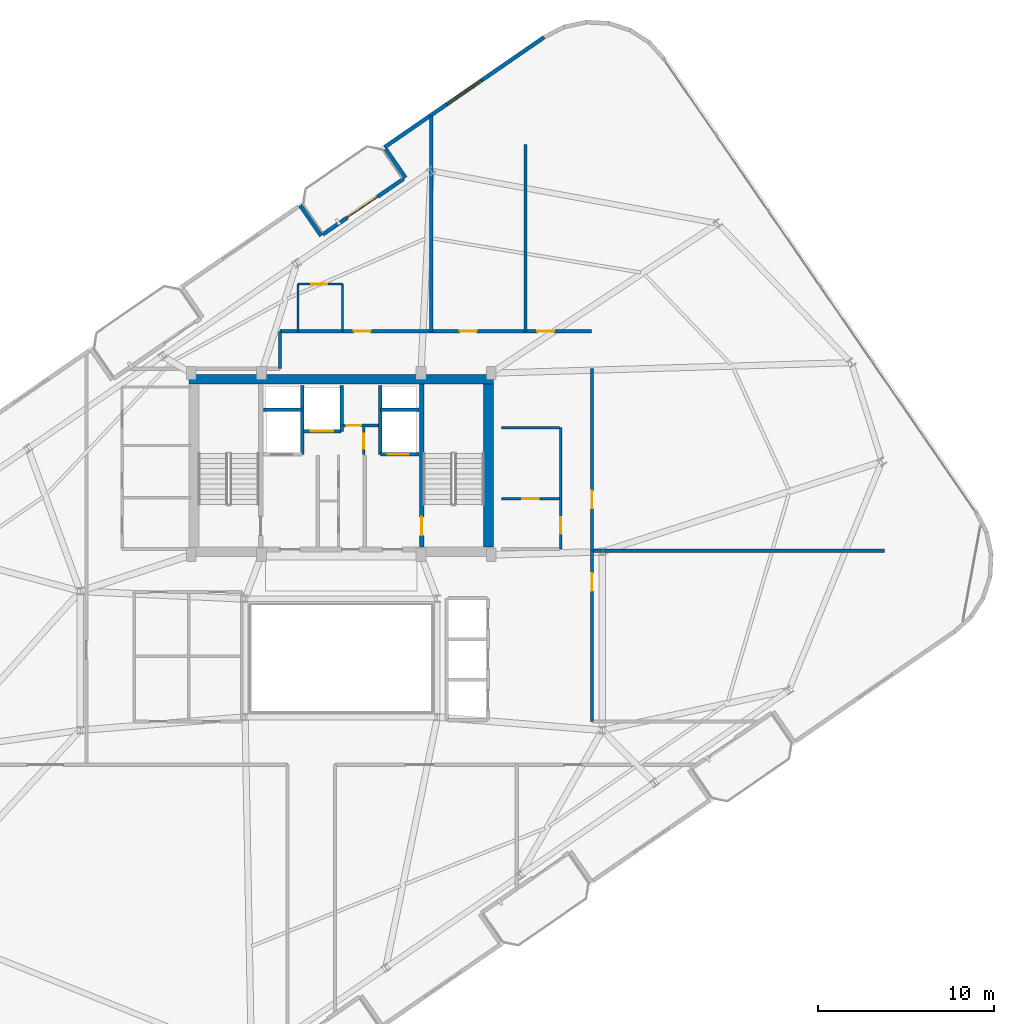
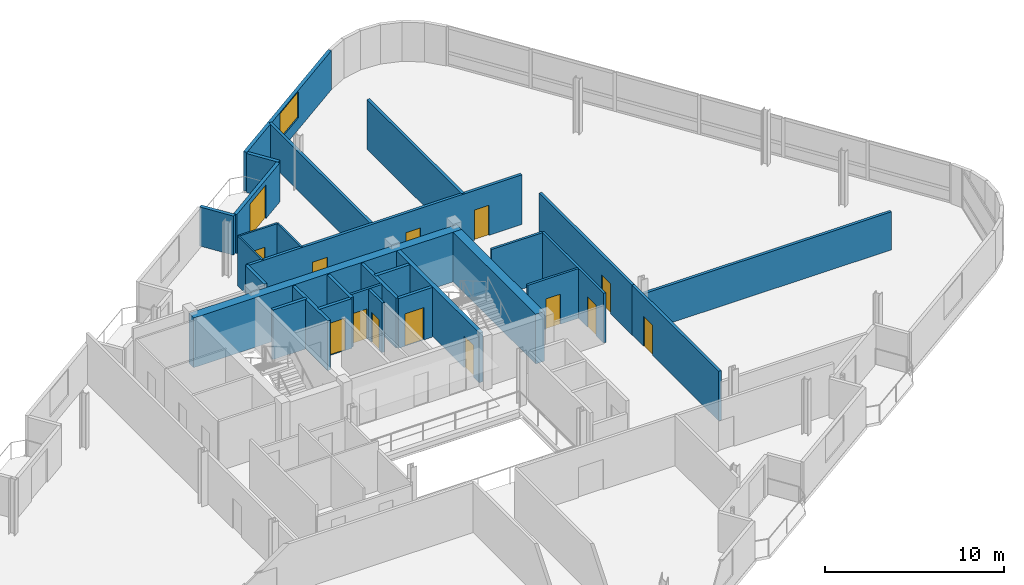
# One storey, part 19 of 23: 29 walls, 14 doors, 1 window, 15 openings.
"""IFC4 building model written with IfcOpenShell, lengths in metres."""

from ifc_helpers import new_model, si_unit, direction, frame, frame_2d, origin, place, context, subcontext, project, spatial, rectangle, extrude, material, layer, layer_set, type_object, element, fill, save


model = new_model("IFC4")

# Units and contexts
model_context = context("Model", 3, precision=1e-05, world=origin(), true_north=direction((0.0, 1.0)))
body_context = subcontext(model_context, "Body", "Model", "MODEL_VIEW")
ifc_project = project(units=[si_unit("LENGTHUNIT", "METRE"), si_unit("AREAUNIT", "SQUARE_METRE"), si_unit("VOLUMEUNIT", "CUBIC_METRE"), si_unit("PLANEANGLEUNIT", "RADIAN"), si_unit("MASSUNIT", "GRAM", prefix="KILO")], contexts=[model_context])

# Site, building, storey
site_placement = place(None, origin())
site = spatial("IfcSite", under=ifc_project, at=site_placement, CompositionType="ELEMENT")
building_placement = place(site_placement, origin())
building = spatial("IfcBuilding", under=site, at=building_placement, Name="Varnelok Gate Tower", CompositionType="ELEMENT")
storey_placement = place(building_placement, frame((0.0, 0.0, 287.800048828125)))
storey = spatial("IfcBuildingStorey", under=building, at=storey_placement, Name="L74", CompositionType="ELEMENT", Elevation=287.800048828125)

# Wall, opening, door
ifc_material_1 = material(Name="Concrete C45/55", Category="concrete")
ifc_layer_1 = layer(ifc_material_1, 0.219970703125)
ifc_layer_set_1 = layer_set([ifc_layer_1], Name="Concrete C45/55")
wall_type_1 = type_object("IfcWallType", Name="EW-BALC-220", PredefinedType="SOLIDWALL", material=ifc_layer_set_1)
wall_1_placement = place(storey_placement, frame((38.15625, 46.91162109375, 0.0), z_axis=(0.0, 0.0, 1.0), x_axis=(0.823527178548, 0.567276816195, 0.0)))
wall_1 = element("IfcWall", 1, at=wall_1_placement, inside=storey, type_object=wall_type_1, Name="L74 North Terrace Envelope Wall 6", PredefinedType="SOLIDWALL", context=body_context, shape_type="SweptSolid", body=[
    extrude(rectangle(XDim=5.56689453125, YDim=0.219970703125, at=frame_2d((2.783447265625, 0.0))), origin(), (0.0, 0.0, 1.0), 2.659912109375),
])
opening_1_placement = place(wall_1_placement, frame((1.68017578125, 0.0, 0.0)))
opening_1 = element("IfcOpeningElement", 2, at=opening_1_placement, cuts=wall_1, Name="Opening BD-2", PredefinedType="OPENING", context=body_context, shape_type="SweptSolid", body=[
    extrude(rectangle(XDim=2.10009765625, YDim=2.300048828125, at=frame_2d((1.050048828125, 1.14990234375))), frame((0.0, 0.119873046875, 0.0), z_axis=(0.0, -1.0, 0.0), x_axis=(1.0, 0.0, 0.0)), (0.0, 0.0, 1.0), 0.239990234375),
])
ifc_material_2 = material(Name="Anodized Aluminum Alloy 6063-T6", Category="aluminium")
door_type_1 = type_object("IfcDoorType", Name="DR-EXT-SLID2100", OperationType="SLIDING_TO_LEFT", PredefinedType="DOOR", material=ifc_material_2)
door_1_placement = place(opening_1_placement, origin())
door_1 = element("IfcDoor", 3, at=door_1_placement, inside=storey, type_object=door_type_1, Name="L74 North Balcony Glazed Door 6", OperationType="SLIDING_TO_LEFT", OverallHeight=2.300048828125, OverallWidth=2.10009765625, PredefinedType="DOOR", context=body_context, shape_type="SweptSolid", body=[
    extrude(rectangle(XDim=2.10009765625, YDim=2.300048828125, at=frame_2d((1.050048828125, 1.14990234375))), frame((0.0, 0.02490234375, 0.0), z_axis=(0.0, -1.0, 0.0), x_axis=(1.0, 0.0, 0.0)), (0.0, 0.0, 1.0), 0.050048828125),
])
fill(opening_1, door_1)

# Wall, opening, window
wall_2_placement = place(storey_placement, frame((50.696533203125, 58.08740234375, 0.0), z_axis=(0.0, 0.0, 1.0), x_axis=(-0.823539455464, -0.567258993137, 0.0)))
wall_2 = element("IfcWall", 4, at=wall_2_placement, inside=storey, type_object=wall_type_1, Name="L74 Perimeter Facade Closure Wall 29", PredefinedType="SOLIDWALL", context=body_context, shape_type="SweptSolid", body=[
    extrude(rectangle(XDim=10.97998046875, YDim=0.219970703125, at=frame_2d((5.489990234375, 0.0))), origin(), (0.0, 0.0, 1.0), 2.659912109375),
])
opening_2_placement = place(wall_2_placement, frame((4.2900390625, 0.0, 0.800048828125)))
opening_2 = element("IfcOpeningElement", 5, at=opening_2_placement, cuts=wall_2, Name="Opening WN6A", PredefinedType="OPENING", context=body_context, shape_type="SweptSolid", body=[
    extrude(rectangle(XDim=2.39990234375, YDim=1.780029296875, at=frame_2d((1.199951171875, 0.89013671875))), frame((0.0, 0.119873046875, 0.0), z_axis=(0.0, -1.0, 0.0), x_axis=(1.0, 0.0, 0.0)), (0.0, 0.0, 1.0), 0.239990234375),
])
ifc_material_3 = material(Name="Low-E Laminated Double Glazing IGU", Category="glass")
window_type = type_object("IfcWindowType", Name="WN-PEN-2400X1780", PartitioningType="SINGLE_PANEL", PredefinedType="WINDOW", material=ifc_material_3)
window_placement = place(opening_2_placement, origin())
window = element("IfcWindow", 6, at=window_placement, inside=storey, type_object=window_type, Name="L74 Perimeter Vision Window 29", OverallHeight=1.780029296875, OverallWidth=2.39990234375, PartitioningType="SINGLE_PANEL", PredefinedType="WINDOW", context=body_context, shape_type="SweptSolid", body=[
    extrude(rectangle(XDim=2.39990234375, YDim=1.780029296875, at=frame_2d((1.199951171875, 0.89013671875))), frame((0.0, 0.030029296875, 0.0), z_axis=(0.0, -1.0, 0.0), x_axis=(1.0, 0.0, 0.0)), (0.0, 0.0, 1.0), 0.06005859375),
])
fill(opening_2, window)

# Walls
wall_3_placement = place(storey_placement, frame((41.724853515625, 51.755859375, 0.0), z_axis=(0.0, 0.0, 1.0), x_axis=(0.567273565974, -0.823529417415, 0.0)))
element("IfcWall", 7, at=wall_3_placement, inside=storey, type_object=wall_type_1, Name="L74 Perimeter Facade Closure Wall 30", PredefinedType="SOLIDWALL", context=body_context, shape_type="SweptSolid", body=[
    extrude(rectangle(XDim=1.97509765625, YDim=0.219970703125, at=frame_2d((0.987548828125, 0.0))), origin(), (0.0, 0.0, 1.0), 2.659912109375),
])
wall_4_placement = place(storey_placement, frame((38.06298828125, 46.835205078125, 0.0), z_axis=(0.0, 0.0, 1.0), x_axis=(-0.567219383419, 0.823566737474, 0.0)))
element("IfcWall", 8, at=wall_4_placement, inside=storey, type_object=wall_type_1, Name="L74 Perimeter Facade Closure Wall 31", PredefinedType="SOLIDWALL", context=body_context, shape_type="SweptSolid", body=[
    extrude(rectangle(XDim=2.10009765625, YDim=0.219970703125, at=frame_2d((1.050048828125, 0.0))), origin(), (0.0, 0.0, 1.0), 2.659912109375),
])

# Wall, opening, door
ifc_material_4 = material(Name="Gypsum Plasterboard Acoustic Partition", Category="gypsum")
ifc_layer_2 = layer(ifc_material_4, 0.179931640625)
ifc_layer_set_2 = layer_set([ifc_layer_2], Name="Gypsum Plasterboard Acoustic Partition")
wall_type_2 = type_object("IfcWallType", Name="PW-CORR-180", PredefinedType="PARTITIONING", material=ifc_layer_set_2)
wall_5_placement = place(storey_placement, frame((53.419921875, 19.300048828125, 0.0), z_axis=(0.0, 0.0, 1.0), x_axis=(0.0, 1.0, 0.0)))
wall_5 = element("IfcWall", 9, at=wall_5_placement, inside=storey, type_object=wall_type_2, Name="Interior Partition", PredefinedType="PARTITIONING", context=body_context, shape_type="SweptSolid", body=[
    extrude(rectangle(XDim=9.679931640625, YDim=0.179931640625, at=frame_2d((4.83984375, 0.0))), origin(), (0.0, 0.0, 1.0), 3.3798828125),
])
opening_3_placement = place(wall_5_placement, frame((7.39990234375, 0.0, 0.0)))
opening_3 = element("IfcOpeningElement", 10, at=opening_3_placement, cuts=wall_5, Name="Opening D-I1", PredefinedType="OPENING", context=body_context, shape_type="SweptSolid", body=[
    extrude(rectangle(XDim=1.0, YDim=2.050048828125, at=frame_2d((0.5, 1.02490234375))), frame((0.0, 0.099853515625, 0.0), z_axis=(0.0, -1.0, 0.0), x_axis=(1.0, 0.0, 0.0)), (0.0, 0.0, 1.0), 0.199951171875),
])
ifc_material_5 = material(Name="Engineered Hardwood Timber", Category="wood")
door_type_2 = type_object("IfcDoorType", Name="DR-INT-1000", OperationType="NOTDEFINED", PredefinedType="DOOR", material=ifc_material_5)
door_2_placement = place(opening_3_placement, origin())
door_2 = element("IfcDoor", 11, at=door_2_placement, inside=storey, type_object=door_type_2, Name="L74 Crown Library Door", OperationType="SINGLE_SWING_RIGHT", OverallHeight=2.050048828125, OverallWidth=1.0, PredefinedType="DOOR", context=body_context, shape_type="SweptSolid", body=[
    extrude(rectangle(XDim=1.0, YDim=2.050048828125, at=frame_2d((0.5, 1.02490234375))), frame((0.0, 0.02490234375, 0.0), z_axis=(0.0, -1.0, 0.0), x_axis=(1.0, 0.0, 0.0)), (0.0, 0.0, 1.0), 0.050048828125),
])
fill(opening_3, door_2)

# Wall
wall_6_placement = place(storey_placement, frame((53.419921875, 28.97998046875, 0.0), z_axis=(0.0, 0.0, 1.0), x_axis=(1.0, 0.0, 0.0)))
element("IfcWall", 12, at=wall_6_placement, inside=storey, type_object=wall_type_2, Name="Interior Partition", PredefinedType="PARTITIONING", context=body_context, shape_type="SweptSolid", body=[
    extrude(rectangle(XDim=16.580078125, YDim=0.179931640625, at=frame_2d((8.2900390625, 0.0))), origin(), (0.0, 0.0, 1.0), 2.592041015625),
])

# Wall, opening, door
wall_7_placement = place(storey_placement, frame((53.419921875, 28.97998046875, 0.0), z_axis=(0.0, 0.0, 1.0), x_axis=(0.0, 1.0, 0.0)))
wall_7 = element("IfcWall", 13, at=wall_7_placement, inside=storey, type_object=wall_type_2, Name="Interior Partition", PredefinedType="PARTITIONING", context=body_context, shape_type="SweptSolid", body=[
    extrude(rectangle(XDim=10.340087890625, YDim=0.179931640625, at=frame_2d((5.169921875, 0.0))), origin(), (0.0, 0.0, 1.0), 3.3798828125),
])
opening_4_placement = place(wall_7_placement, frame((2.39990234375, 0.0, 0.0)))
opening_4 = element("IfcOpeningElement", 14, at=opening_4_placement, cuts=wall_7, Name="Opening D-I1", PredefinedType="OPENING", context=body_context, shape_type="SweptSolid", body=[
    extrude(rectangle(XDim=1.0, YDim=2.050048828125, at=frame_2d((0.5, 1.02490234375))), frame((0.0, 0.099853515625, 0.0), z_axis=(0.0, -1.0, 0.0), x_axis=(1.0, 0.0, 0.0)), (0.0, 0.0, 1.0), 0.199951171875),
])
door_3_placement = place(opening_4_placement, origin())
door_3 = element("IfcDoor", 15, at=door_3_placement, inside=storey, type_object=door_type_2, Name="L74 Horizon Club Door", OperationType="SINGLE_SWING_LEFT", OverallHeight=2.050048828125, OverallWidth=1.0, PredefinedType="DOOR", context=body_context, shape_type="SweptSolid", body=[
    extrude(rectangle(XDim=1.0, YDim=2.050048828125, at=frame_2d((0.5, 1.02490234375))), frame((0.0, 0.02490234375, 0.0), z_axis=(0.0, -1.0, 0.0), x_axis=(1.0, 0.0, 0.0)), (0.0, 0.0, 1.0), 0.050048828125),
])
fill(opening_4, door_3)

# Wall
wall_8_placement = place(storey_placement, frame((35.719970703125, 39.300048828125, 0.0), z_axis=(0.0, 0.0, 1.0), x_axis=(0.0, 1.0, 0.0)))
element("IfcWall", 16, at=wall_8_placement, inside=storey, type_object=wall_type_2, Name="Interior Partition", PredefinedType="PARTITIONING", context=body_context, shape_type="SweptSolid", body=[
    extrude(rectangle(XDim=2.119873046875, YDim=0.179931640625, at=frame_2d((1.06005859375, 0.0))), origin(), (0.0, 0.0, 1.0), 3.3798828125),
])

# Wall, openings, doors
wall_9_placement = place(storey_placement, frame((35.719970703125, 41.419921875, 0.0), z_axis=(0.0, 0.0, 1.0), x_axis=(1.0, 0.0, 0.0)))
wall_9 = element("IfcWall", 17, at=wall_9_placement, inside=storey, type_object=wall_type_2, Name="Interior Partition", PredefinedType="PARTITIONING", context=body_context, shape_type="SweptSolid", body=[
    extrude(rectangle(XDim=17.679931640625, YDim=0.179931640625, at=frame_2d((8.83984375, 0.0))), origin(), (0.0, 0.0, 1.0), 3.3798828125),
])
opening_5_placement = place(wall_9_placement, frame((4.199951171875, 0.0, 0.0)))
opening_5 = element("IfcOpeningElement", 18, at=opening_5_placement, cuts=wall_9, Name="Opening D-HT", PredefinedType="OPENING", context=body_context, shape_type="SweptSolid", body=[
    extrude(rectangle(XDim=0.949951171875, YDim=2.14990234375, at=frame_2d((0.47509765625, 1.074951171875))), frame((0.0, 0.099853515625, 0.0), z_axis=(0.0, -1.0, 0.0), x_axis=(1.0, 0.0, 0.0)), (0.0, 0.0, 1.0), 0.199951171875),
])
opening_6_placement = place(wall_9_placement, frame((10.199951171875, 0.0, 0.0)))
opening_6 = element("IfcOpeningElement", 19, at=opening_6_placement, cuts=wall_9, Name="Opening D-I2", PredefinedType="OPENING", context=body_context, shape_type="SweptSolid", body=[
    extrude(rectangle(XDim=0.949951171875, YDim=2.050048828125, at=frame_2d((0.47509765625, 1.02490234375))), frame((0.0, 0.099853515625, 0.0), z_axis=(0.0, -1.0, 0.0), x_axis=(1.0, 0.0, 0.0)), (0.0, 0.0, 1.0), 0.199951171875),
])
opening_7_placement = place(wall_9_placement, frame((14.60009765625, 0.0, 0.0)))
opening_7 = element("IfcOpeningElement", 20, at=opening_7_placement, cuts=wall_9, Name="Opening D-I2", PredefinedType="OPENING", context=body_context, shape_type="SweptSolid", body=[
    extrude(rectangle(XDim=0.949951171875, YDim=2.050048828125, at=frame_2d((0.47509765625, 1.02490234375))), frame((0.0, 0.099853515625, 0.0), z_axis=(0.0, -1.0, 0.0), x_axis=(1.0, 0.0, 0.0)), (0.0, 0.0, 1.0), 0.199951171875),
])
door_type_3 = type_object("IfcDoorType", Name="DR-HTL-950", OperationType="NOTDEFINED", PredefinedType="DOOR", material=ifc_material_5)
door_4_placement = place(opening_5_placement, origin())
door_4 = element("IfcDoor", 21, at=door_4_placement, inside=storey, type_object=door_type_3, Name="L74 Suite 1 Entrance Door", OperationType="SINGLE_SWING_LEFT", OverallHeight=2.14990234375, OverallWidth=0.949951171875, PredefinedType="DOOR", context=body_context, shape_type="SweptSolid", body=[
    extrude(rectangle(XDim=0.949951171875, YDim=2.14990234375, at=frame_2d((0.47509765625, 1.074951171875))), frame((0.0, 0.02490234375, 0.0), z_axis=(0.0, -1.0, 0.0), x_axis=(1.0, 0.0, 0.0)), (0.0, 0.0, 1.0), 0.050048828125),
])
fill(opening_5, door_4)
door_type_4 = type_object("IfcDoorType", Name="DR-INT-950", OperationType="NOTDEFINED", PredefinedType="DOOR", material=ifc_material_5)
door_5_placement = place(opening_6_placement, origin())
door_5 = element("IfcDoor", 22, at=door_5_placement, inside=storey, type_object=door_type_4, Name="L74 Fitness Studio Door", OperationType="SINGLE_SWING_RIGHT", OverallHeight=2.050048828125, OverallWidth=0.949951171875, PredefinedType="DOOR", context=body_context, shape_type="SweptSolid", body=[
    extrude(rectangle(XDim=0.949951171875, YDim=2.050048828125, at=frame_2d((0.47509765625, 1.02490234375))), frame((0.0, 0.02490234375, 0.0), z_axis=(0.0, -1.0, 0.0), x_axis=(1.0, 0.0, 0.0)), (0.0, 0.0, 1.0), 0.050048828125),
])
fill(opening_6, door_5)
door_6_placement = place(opening_7_placement, origin())
door_6 = element("IfcDoor", 23, at=door_6_placement, inside=storey, type_object=door_type_4, Name="L74 Treatment Suite Door", OperationType="SINGLE_SWING_LEFT", OverallHeight=2.050048828125, OverallWidth=0.949951171875, PredefinedType="DOOR", context=body_context, shape_type="SweptSolid", body=[
    extrude(rectangle(XDim=0.949951171875, YDim=2.050048828125, at=frame_2d((0.47509765625, 1.02490234375))), frame((0.0, 0.02490234375, 0.0), z_axis=(0.0, -1.0, 0.0), x_axis=(1.0, 0.0, 0.0)), (0.0, 0.0, 1.0), 0.050048828125),
])
fill(opening_7, door_6)

# Walls
wall_10_placement = place(storey_placement, frame((44.300048828125, 41.419921875, 0.0), z_axis=(0.0, 0.0, 1.0), x_axis=(0.0, 1.0, 0.0)))
element("IfcWall", 24, at=wall_10_placement, inside=storey, type_object=wall_type_2, Name="Interior Partition", PredefinedType="PARTITIONING", context=body_context, shape_type="SweptSolid", body=[
    extrude(rectangle(XDim=12.221435546875, YDim=0.179931640625, at=frame_2d((6.11083984375, 0.0))), origin(), (0.0, 0.0, 1.0), 2.6689453125),
])
wall_11_placement = place(storey_placement, frame((49.64990234375, 41.419921875, 0.0), z_axis=(0.0, 0.0, 1.0), x_axis=(0.0, 1.0, 0.0)))
element("IfcWall", 25, at=wall_11_placement, inside=storey, type_object=wall_type_2, Name="Interior Partition", PredefinedType="PARTITIONING", context=body_context, shape_type="SweptSolid", body=[
    extrude(rectangle(XDim=10.580078125, YDim=0.179931640625, at=frame_2d((5.2900390625, 0.0))), origin(), (0.0, 0.0, 1.0), 3.3798828125),
])
ifc_layer_3 = layer(ifc_material_4, 0.114990234375)
ifc_layer_set_3 = layer_set([ifc_layer_3], Name="Gypsum Plasterboard Acoustic Partition")
wall_type_3 = type_object("IfcWallType", Name="PW-ENS-125", PredefinedType="PARTITIONING", material=ifc_layer_set_3)
for number, where, z_axis, x_axis, name in (
    (26, (36.739990234375, 41.419921875, 0.0), (0.0, 0.0, 1.0), (0.0, 1.0, 0.0), "Interior Partition"),
    (27, (39.260009765625, 41.419921875, 0.0), (0.0, 0.0, 1.0), (0.0, 1.0, 0.0), "Interior Partition"),
):
    element("IfcWall", number, at=place(storey_placement, frame(where, z_axis=z_axis, x_axis=x_axis)), inside=storey, type_object=wall_type_3, Name=name, PredefinedType="PARTITIONING", context=body_context, shape_type="SweptSolid", body=[
        extrude(rectangle(XDim=2.68017578125, YDim=0.114990234375, at=frame_2d((1.340087890625, 0.0))), origin(), (0.0, 0.0, 1.0), 3.3798828125),
    ])

# Wall, opening, door
wall_12_placement = place(storey_placement, frame((36.739990234375, 44.10009765625, 0.0), z_axis=(0.0, 0.0, 1.0), x_axis=(1.0, 0.0, 0.0)))
wall_12 = element("IfcWall", 28, at=wall_12_placement, inside=storey, type_object=wall_type_3, Name="Interior Partition", PredefinedType="PARTITIONING", context=body_context, shape_type="SweptSolid", body=[
    extrude(rectangle(XDim=2.52001953125, YDim=0.114990234375, at=frame_2d((1.260009765625, 0.0))), origin(), (0.0, 0.0, 1.0), 3.3798828125),
])
opening_8_placement = place(wall_12_placement, frame((0.760009765625, 0.0, 0.0)))
opening_8 = element("IfcOpeningElement", 29, at=opening_8_placement, cuts=wall_12, Name="Opening D-WC", PredefinedType="OPENING", context=body_context, shape_type="SweptSolid", body=[
    extrude(rectangle(XDim=0.89990234375, YDim=2.050048828125, at=frame_2d((0.449951171875, 1.02490234375))), frame((0.0, 0.0673828125, 0.0), z_axis=(0.0, -1.0, 0.0), x_axis=(1.0, 0.0, 0.0)), (0.0, 0.0, 1.0), 0.135009765625),
])
door_type_5 = type_object("IfcDoorType", Name="DR-BATH-900", OperationType="NOTDEFINED", PredefinedType="DOOR", material=ifc_material_5)
door_7_placement = place(opening_8_placement, origin())
door_7 = element("IfcDoor", 30, at=door_7_placement, inside=storey, type_object=door_type_5, Name="L74 Suite 1 En-Suite Door", OperationType="SINGLE_SWING_LEFT", OverallHeight=2.050048828125, OverallWidth=0.89990234375, PredefinedType="DOOR", context=body_context, shape_type="SweptSolid", body=[
    extrude(rectangle(XDim=0.89990234375, YDim=2.050048828125, at=frame_2d((0.449951171875, 1.02490234375))), frame((0.0, 0.02490234375, 0.0), z_axis=(0.0, -1.0, 0.0), x_axis=(1.0, 0.0, 0.0)), (0.0, 0.0, 1.0), 0.050048828125),
])
fill(opening_8, door_7)

ifc_layer_4 = layer(ifc_material_4, 0.14990234375)
ifc_layer_set_4 = layer_set([ifc_layer_4], Name="Gypsum Plasterboard Acoustic Partition")
wall_type_4 = type_object("IfcWallType", Name="PW-PART-150", PredefinedType="PARTITIONING", material=ifc_layer_set_4)
wall_13_placement = place(storey_placement, frame((39.300048828125, 36.080078125, 0.0), z_axis=(0.0, 0.0, 1.0), x_axis=(1.0, 0.0, 0.0)))
wall_13 = element("IfcWall", 31, at=wall_13_placement, inside=storey, type_object=wall_type_4, Name="L74 Electrical Closet South Wall", PredefinedType="PARTITIONING", context=body_context, shape_type="SweptSolid", body=[
    extrude(rectangle(XDim=2.02001953125, YDim=0.14990234375, at=frame_2d((1.010009765625, 0.0))), origin(), (0.0, 0.0, 1.0), 3.3798828125),
])
opening_9_placement = place(wall_13_placement, frame((0.179931640625, 0.0, 0.0)))
opening_9 = element("IfcOpeningElement", 32, at=opening_9_placement, cuts=wall_13, Name="Opening D-RS", PredefinedType="OPENING", context=body_context, shape_type="SweptSolid", body=[
    extrude(rectangle(XDim=0.85009765625, YDim=2.050048828125, at=frame_2d((0.425048828125, 1.02490234375))), frame((0.0, 0.0849609375, 0.0), z_axis=(0.0, -1.0, 0.0), x_axis=(1.0, 0.0, 0.0)), (0.0, 0.0, 1.0), 0.169921875),
])
ifc_material_6 = material(Name="Galvanized Steel Grade S350GD", Category="steel")
door_type_6 = type_object("IfcDoorType", Name="DR-RISER-850", OperationType="NOTDEFINED", PredefinedType="DOOR", material=ifc_material_6)
door_8_placement = place(opening_9_placement, origin())
door_8 = element("IfcDoor", 33, at=door_8_placement, inside=storey, type_object=door_type_6, Name="L74 Electrical Closet Door", OperationType="SINGLE_SWING_RIGHT", OverallHeight=2.050048828125, OverallWidth=0.85009765625, PredefinedType="DOOR", context=body_context, shape_type="SweptSolid", body=[
    extrude(rectangle(XDim=0.85009765625, YDim=2.050048828125, at=frame_2d((0.425048828125, 1.02490234375))), frame((0.0, 0.02490234375, 0.0), z_axis=(0.0, -1.0, 0.0), x_axis=(1.0, 0.0, 0.0)), (0.0, 0.0, 1.0), 0.050048828125),
])
fill(opening_9, door_8)

wall_14_placement = place(storey_placement, frame((40.47998046875, 34.43994140625, 0.0), z_axis=(0.0, 0.0, 1.0), x_axis=(0.0, 1.0, 0.0)))
wall_14 = element("IfcWall", 34, at=wall_14_placement, inside=storey, type_object=wall_type_4, Name="L74 Telecoms Closet West Wall", PredefinedType="PARTITIONING", context=body_context, shape_type="SweptSolid", body=[
    extrude(rectangle(XDim=1.52001953125, YDim=0.14990234375, at=frame_2d((0.760009765625, 0.0))), origin(), (0.0, 0.0, 1.0), 3.3798828125),
])
opening_10_placement = place(wall_14_placement, frame((0.320068359375, 0.0, 0.0)))
opening_10 = element("IfcOpeningElement", 35, at=opening_10_placement, cuts=wall_14, Name="Opening D-RS", PredefinedType="OPENING", context=body_context, shape_type="SweptSolid", body=[
    extrude(rectangle(XDim=0.85009765625, YDim=2.050048828125, at=frame_2d((0.425048828125, 1.02490234375))), frame((0.0, 0.0849609375, 0.0), z_axis=(0.0, -1.0, 0.0), x_axis=(1.0, 0.0, 0.0)), (0.0, 0.0, 1.0), 0.169921875),
])
door_9_placement = place(opening_10_placement, origin())
door_9 = element("IfcDoor", 36, at=door_9_placement, inside=storey, type_object=door_type_6, Name="L74 Telecoms Closet Door", OperationType="SINGLE_SWING_LEFT", OverallHeight=2.050048828125, OverallWidth=0.85009765625, PredefinedType="DOOR", context=body_context, shape_type="SweptSolid", body=[
    extrude(rectangle(XDim=0.85009765625, YDim=2.050048828125, at=frame_2d((0.425048828125, 1.02490234375))), frame((0.0, 0.02490234375, 0.0), z_axis=(0.0, -1.0, 0.0), x_axis=(1.0, 0.0, 0.0)), (0.0, 0.0, 1.0), 0.050048828125),
])
fill(opening_10, door_9)

wall_15_placement = place(storey_placement, frame((48.300048828125, 31.929931640625, 0.0), z_axis=(0.0, 0.0, 1.0), x_axis=(1.0, 0.0, 0.0)))
wall_15 = element("IfcWall", 37, at=wall_15_placement, inside=storey, type_object=wall_type_4, Name="Interior Partition", PredefinedType="PARTITIONING", context=body_context, shape_type="SweptSolid", body=[
    extrude(rectangle(XDim=3.280029296875, YDim=0.14990234375, at=frame_2d((1.64013671875, 0.0))), origin(), (0.0, 0.0, 1.0), 3.3798828125),
])
opening_11_placement = place(wall_15_placement, frame((1.14990234375, 0.0, 0.0)))
opening_11 = element("IfcOpeningElement", 38, at=opening_11_placement, cuts=wall_15, Name="Opening D-I2", PredefinedType="OPENING", context=body_context, shape_type="SweptSolid", body=[
    extrude(rectangle(XDim=0.949951171875, YDim=2.050048828125, at=frame_2d((0.47509765625, 1.02490234375))), frame((0.0, 0.0849609375, 0.0), z_axis=(0.0, -1.0, 0.0), x_axis=(1.0, 0.0, 0.0)), (0.0, 0.0, 1.0), 0.169921875),
])
door_10_placement = place(opening_11_placement, origin())
door_10 = element("IfcDoor", 39, at=door_10_placement, inside=storey, type_object=door_type_4, Name="L74 Reclaimed Trunk Storage Door", OperationType="SINGLE_SWING_LEFT", OverallHeight=2.050048828125, OverallWidth=0.949951171875, PredefinedType="DOOR", context=body_context, shape_type="SweptSolid", body=[
    extrude(rectangle(XDim=0.949951171875, YDim=2.050048828125, at=frame_2d((0.47509765625, 1.02490234375))), frame((0.0, 0.02490234375, 0.0), z_axis=(0.0, -1.0, 0.0), x_axis=(1.0, 0.0, 0.0)), (0.0, 0.0, 1.0), 0.050048828125),
])
fill(opening_11, door_10)

# Wall
wall_16_placement = place(storey_placement, frame((48.300048828125, 35.9599609375, 0.0), z_axis=(0.0, 0.0, 1.0), x_axis=(1.0, 0.0, 0.0)))
element("IfcWall", 40, at=wall_16_placement, inside=storey, type_object=wall_type_4, Name="Interior Partition", PredefinedType="PARTITIONING", context=body_context, shape_type="SweptSolid", body=[
    extrude(rectangle(XDim=3.280029296875, YDim=0.14990234375, at=frame_2d((1.64013671875, 0.0))), origin(), (0.0, 0.0, 1.0), 3.3798828125),
])

# Wall, opening, door
wall_17_placement = place(storey_placement, frame((51.639892578125, 29.080078125, 0.0), z_axis=(0.0, 0.0, 1.0), x_axis=(0.0, 1.0, 0.0)))
wall_17 = element("IfcWall", 41, at=wall_17_placement, inside=storey, type_object=wall_type_4, Name="Interior Partition", PredefinedType="PARTITIONING", context=body_context, shape_type="SweptSolid", body=[
    extrude(rectangle(XDim=6.8798828125, YDim=0.14990234375, at=frame_2d((3.43994140625, 0.0))), origin(), (0.0, 0.0, 1.0), 3.3798828125),
])
opening_12_placement = place(wall_17_placement, frame((0.85009765625, 0.0, 0.0)))
opening_12 = element("IfcOpeningElement", 42, at=opening_12_placement, cuts=wall_17, Name="Opening D-I2", PredefinedType="OPENING", context=body_context, shape_type="SweptSolid", body=[
    extrude(rectangle(XDim=0.949951171875, YDim=2.050048828125, at=frame_2d((0.47509765625, 1.02490234375))), frame((0.0, 0.0849609375, 0.0), z_axis=(0.0, -1.0, 0.0), x_axis=(1.0, 0.0, 0.0)), (0.0, 0.0, 1.0), 0.169921875),
])
door_11_placement = place(opening_12_placement, origin())
door_11 = element("IfcDoor", 43, at=door_11_placement, inside=storey, type_object=door_type_4, Name="L74 Reclaimed Wine Storage Door", OperationType="SINGLE_SWING_RIGHT", OverallHeight=2.050048828125, OverallWidth=0.949951171875, PredefinedType="DOOR", context=body_context, shape_type="SweptSolid", body=[
    extrude(rectangle(XDim=0.949951171875, YDim=2.050048828125, at=frame_2d((0.47509765625, 1.02490234375))), frame((0.0, 0.02490234375, 0.0), z_axis=(0.0, -1.0, 0.0), x_axis=(1.0, 0.0, 0.0)), (0.0, 0.0, 1.0), 0.050048828125),
])
fill(opening_12, door_11)

# Walls
ifc_material_7 = material(Name="Concrete C35/45", Category="concrete")
ifc_layer_5 = layer(ifc_material_7, 0.199951171875)
ifc_layer_set_5 = layer_set([ifc_layer_5], Name="Concrete C35/45")
wall_type_5 = type_object("IfcWallType", Name="PW-SHAFT-200", PredefinedType="PARTITIONING", material=ifc_layer_set_5)
wall_18_placement = place(storey_placement, frame((34.800048828125, 36.97998046875, 0.0), z_axis=(0.0, 0.0, 1.0), x_axis=(1.0, 0.0, 0.0)))
element("IfcWall", 44, at=wall_18_placement, inside=storey, type_object=wall_type_5, Name="L74 FF1 Shaft North Wall", PredefinedType="PARTITIONING", context=body_context, shape_type="SweptSolid", body=[
    extrude(rectangle(XDim=2.179931640625, YDim=0.199951171875, at=frame_2d((1.08984375, 0.0))), origin(), (0.0, 0.0, 1.0), 3.3798828125),
])
wall_19_placement = place(storey_placement, frame((37.0, 34.43994140625, 0.0), z_axis=(0.0, 0.0, 1.0), x_axis=(0.0, 1.0, 0.0)))
element("IfcWall", 45, at=wall_19_placement, inside=storey, type_object=wall_type_5, Name="L74 FF1 Shaft Side Wall", PredefinedType="PARTITIONING", context=body_context, shape_type="SweptSolid", body=[
    extrude(rectangle(XDim=3.900146484375, YDim=0.199951171875, at=frame_2d((1.9501953125, 0.0))), origin(), (0.0, 0.0, 1.0), 3.3798828125),
])

# Wall, opening, door
wall_20_placement = place(storey_placement, frame((41.419921875, 34.43994140625, 0.0), z_axis=(0.0, 0.0, 1.0), x_axis=(1.0, 0.0, 0.0)))
wall_20 = element("IfcWall", 46, at=wall_20_placement, inside=storey, type_object=wall_type_5, Name="L74 FF2 Shaft Front Wall", PredefinedType="PARTITIONING", context=body_context, shape_type="SweptSolid", body=[
    extrude(rectangle(XDim=2.18017578125, YDim=0.199951171875, at=frame_2d((1.090087890625, 0.0))), origin(), (0.0, 0.0, 1.0), 3.3798828125),
])
opening_13_placement = place(wall_20_placement, frame((0.419921875, 0.0, 0.0)))
opening_13 = element("IfcOpeningElement", 47, at=opening_13_placement, cuts=wall_20, Name="Opening LD-FF2", PredefinedType="OPENING", context=body_context, shape_type="SweptSolid", body=[
    extrude(rectangle(XDim=1.199951171875, YDim=2.199951171875, at=frame_2d((0.60009765625, 1.10009765625))), frame((0.0, 0.10986328125, 0.0), z_axis=(0.0, -1.0, 0.0), x_axis=(1.0, 0.0, 0.0)), (0.0, 0.0, 1.0), 0.219970703125),
])
door_type_7 = type_object("IfcDoorType", Name="DR-LIFT-FF1200", OperationType="SLIDING_TO_LEFT", PredefinedType="DOOR", material=ifc_material_6)
door_12_placement = place(opening_13_placement, origin())
door_12 = element("IfcDoor", 48, at=door_12_placement, inside=storey, type_object=door_type_7, Name="L74 Firefighting Lift Landing Door LD-FF2", OperationType="SLIDING_TO_LEFT", OverallHeight=2.199951171875, OverallWidth=1.199951171875, PredefinedType="DOOR", context=body_context, shape_type="SweptSolid", body=[
    extrude(rectangle(XDim=1.199951171875, YDim=2.199951171875, at=frame_2d((0.60009765625, 1.10009765625))), frame((0.0, 0.02490234375, 0.0), z_axis=(0.0, -1.0, 0.0), x_axis=(1.0, 0.0, 0.0)), (0.0, 0.0, 1.0), 0.050048828125),
])
fill(opening_13, door_12)

# Walls
wall_21_placement = place(storey_placement, frame((41.419921875, 36.97998046875, 0.0), z_axis=(0.0, 0.0, 1.0), x_axis=(1.0, 0.0, 0.0)))
element("IfcWall", 49, at=wall_21_placement, inside=storey, type_object=wall_type_5, Name="L74 FF2 Shaft North Wall", PredefinedType="PARTITIONING", context=body_context, shape_type="SweptSolid", body=[
    extrude(rectangle(XDim=2.18017578125, YDim=0.199951171875, at=frame_2d((1.090087890625, 0.0))), origin(), (0.0, 0.0, 1.0), 3.3798828125),
])
wall_22_placement = place(storey_placement, frame((41.39990234375, 34.43994140625, 0.0), z_axis=(0.0, 0.0, 1.0), x_axis=(0.0, 1.0, 0.0)))
element("IfcWall", 50, at=wall_22_placement, inside=storey, type_object=wall_type_5, Name="L74 FF2 Shaft Side Wall", PredefinedType="PARTITIONING", context=body_context, shape_type="SweptSolid", body=[
    extrude(rectangle(XDim=3.900146484375, YDim=0.199951171875, at=frame_2d((1.9501953125, 0.0))), origin(), (0.0, 0.0, 1.0), 3.3798828125),
])

# Wall, opening, door
wall_23_placement = place(storey_placement, frame((37.06005859375, 35.75, 0.0), z_axis=(0.0, 0.0, 1.0), x_axis=(1.0, 0.0, 0.0)))
wall_23 = element("IfcWall", 51, at=wall_23_placement, inside=storey, type_object=wall_type_5, Name="L74 SV1 Shaft Front Wall", PredefinedType="PARTITIONING", context=body_context, shape_type="SweptSolid", body=[
    extrude(rectangle(XDim=2.119873046875, YDim=0.199951171875, at=frame_2d((1.06005859375, 0.0))), origin(), (0.0, 0.0, 1.0), 3.3798828125),
])
opening_14_placement = place(wall_23_placement, frame((0.39990234375, 0.0, 0.0)))
opening_14 = element("IfcOpeningElement", 52, at=opening_14_placement, cuts=wall_23, Name="Opening LD-SV1", PredefinedType="OPENING", context=body_context, shape_type="SweptSolid", body=[
    extrude(rectangle(XDim=1.300048828125, YDim=2.199951171875, at=frame_2d((0.64990234375, 1.10009765625))), frame((0.0, 0.10986328125, 0.0), z_axis=(0.0, -1.0, 0.0), x_axis=(1.0, 0.0, 0.0)), (0.0, 0.0, 1.0), 0.219970703125),
])
door_type_8 = type_object("IfcDoorType", Name="DR-LIFT-SV1300", OperationType="SLIDING_TO_LEFT", PredefinedType="DOOR", material=ifc_material_6)
door_13_placement = place(opening_14_placement, origin())
door_13 = element("IfcDoor", 53, at=door_13_placement, inside=storey, type_object=door_type_8, Name="L74 Service Lift Landing Door LD-SV1", OperationType="SLIDING_TO_LEFT", OverallHeight=2.199951171875, OverallWidth=1.300048828125, PredefinedType="DOOR", context=body_context, shape_type="SweptSolid", body=[
    extrude(rectangle(XDim=1.300048828125, YDim=2.199951171875, at=frame_2d((0.64990234375, 1.10009765625))), frame((0.0, 0.02490234375, 0.0), z_axis=(0.0, -1.0, 0.0), x_axis=(1.0, 0.0, 0.0)), (0.0, 0.0, 1.0), 0.050048828125),
])
fill(opening_14, door_13)

# Walls
wall_24_placement = place(storey_placement, frame((39.219970703125, 35.75, 0.0), z_axis=(0.0, 0.0, 1.0), x_axis=(0.0, 1.0, 0.0)))
element("IfcWall", 54, at=wall_24_placement, inside=storey, type_object=wall_type_5, Name="L74 SV1 Shaft East Wall", PredefinedType="PARTITIONING", context=body_context, shape_type="SweptSolid", body=[
    extrude(rectangle(XDim=2.590087890625, YDim=0.199951171875, at=frame_2d((1.294921875, 0.0))), origin(), (0.0, 0.0, 1.0), 3.3798828125),
])
ifc_material_8 = material(Name="Concrete C60/75", Category="concrete")
ifc_layer_6 = layer(ifc_material_8, 0.550048828125)
ifc_layer_set_6 = layer_set([ifc_layer_6], Name="Concrete C60/75")
wall_type_6 = type_object("IfcWallType", Name="SW-CORE-550", PredefinedType="SHEAR", material=ifc_layer_set_6)
wall_25_placement = place(storey_placement, frame((30.580078125, 38.695068359375, 0.0), z_axis=(0.0, 0.0, 1.0), x_axis=(1.0, 0.0, 0.0)))
element("IfcWall", 55, at=wall_25_placement, inside=storey, type_object=wall_type_6, Name="L74 Rear Core North Shear Wall", PredefinedType="SHEAR", context=body_context, shape_type="SweptSolid", body=[
    extrude(rectangle(XDim=17.239990234375, YDim=0.550048828125, at=frame_2d((8.6201171875, 0.0))), origin(), (0.0, 0.0, 1.0), 3.3798828125),
])
wall_26_placement = place(storey_placement, frame((47.544921875, 29.199951171875, 0.0), z_axis=(0.0, 0.0, 1.0), x_axis=(0.0, 1.0, 0.0)))
element("IfcWall", 56, at=wall_26_placement, inside=storey, type_object=wall_type_6, Name="L74 Rear Core East Shear Wall", PredefinedType="SHEAR", context=body_context, shape_type="SweptSolid", body=[
    extrude(rectangle(XDim=9.219970703125, YDim=0.550048828125, at=frame_2d((4.60986328125, 0.0))), origin(), (0.0, 0.0, 1.0), 3.3798828125),
])

# Wall, opening, door
ifc_layer_7 = layer(ifc_material_8, 0.25)
ifc_layer_set_7 = layer_set([ifc_layer_7], Name="Concrete C60/75")
wall_type_7 = type_object("IfcWallType", Name="SW-SHAFT-250", PredefinedType="SHEAR", material=ifc_layer_set_7)
wall_27_placement = place(storey_placement, frame((43.760009765625, 29.199951171875, 0.0), z_axis=(0.0, 0.0, 1.0), x_axis=(0.0, 1.0, 0.0)))
wall_27 = element("IfcWall", 57, at=wall_27_placement, inside=storey, type_object=wall_type_7, Name="L74 Stair ST-2 West Shear Wall", PredefinedType="SHEAR", context=body_context, shape_type="SweptSolid", body=[
    extrude(rectangle(XDim=9.219970703125, YDim=0.25, at=frame_2d((4.60986328125, 0.0))), origin(), (0.0, 0.0, 1.0), 3.3798828125),
])
opening_15_placement = place(wall_27_placement, frame((0.64990234375, 0.0, 0.0)))
opening_15 = element("IfcOpeningElement", 58, at=opening_15_placement, cuts=wall_27, Name="Opening D-ST", PredefinedType="OPENING", context=body_context, shape_type="SweptSolid", body=[
    extrude(rectangle(XDim=1.050048828125, YDim=2.14990234375, at=frame_2d((0.52490234375, 1.074951171875))), frame((0.0, 0.135009765625, 0.0), z_axis=(0.0, -1.0, 0.0), x_axis=(1.0, 0.0, 0.0)), (0.0, 0.0, 1.0), 0.27001953125),
])
door_type_9 = type_object("IfcDoorType", Name="DR-STAIR-1050", OperationType="NOTDEFINED", PredefinedType="DOOR", material=ifc_material_6)
door_14_placement = place(opening_15_placement, origin())
door_14 = element("IfcDoor", 59, at=door_14_placement, inside=storey, type_object=door_type_9, Name="L74 Exit Stair ST-2 Fire Door", OperationType="SINGLE_SWING_RIGHT", OverallHeight=2.14990234375, OverallWidth=1.050048828125, PredefinedType="DOOR", context=body_context, shape_type="SweptSolid", body=[
    extrude(rectangle(XDim=1.050048828125, YDim=2.14990234375, at=frame_2d((0.52490234375, 1.074951171875))), frame((0.0, 0.02490234375, 0.0), z_axis=(0.0, -1.0, 0.0), x_axis=(1.0, 0.0, 0.0)), (0.0, 0.0, 1.0), 0.050048828125),
])
fill(opening_15, door_14)

save(model, "model.ifc")
